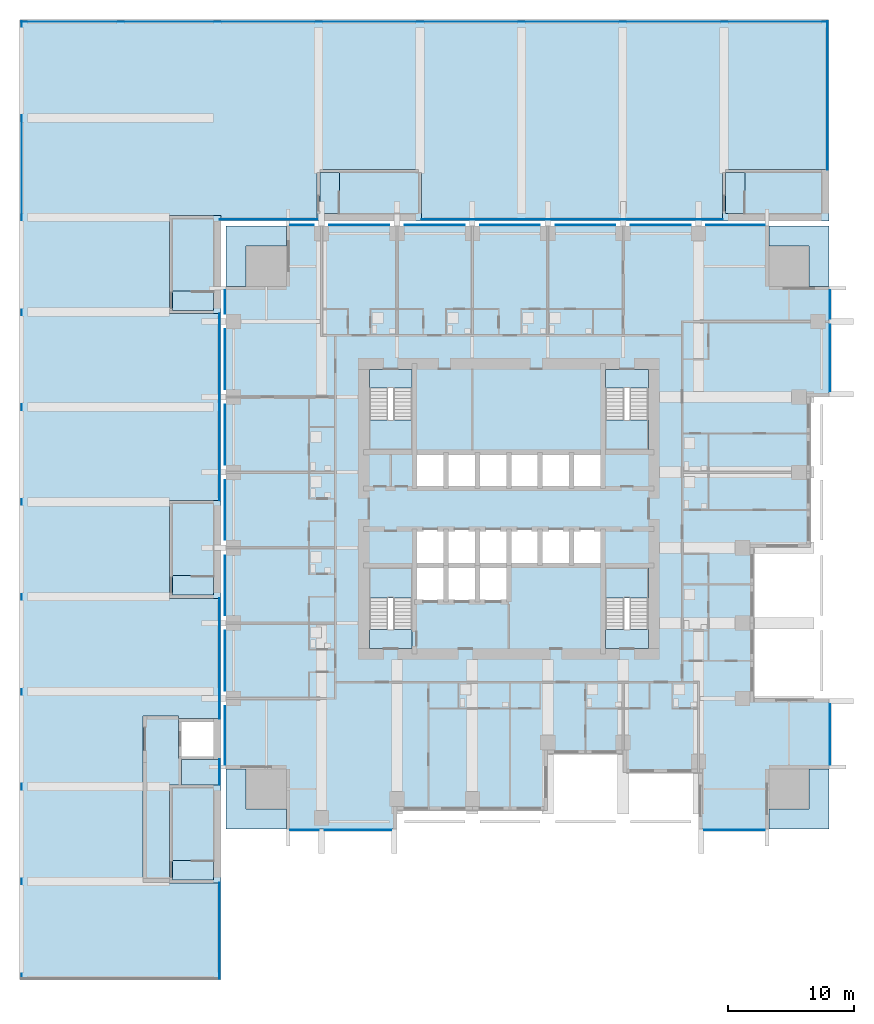
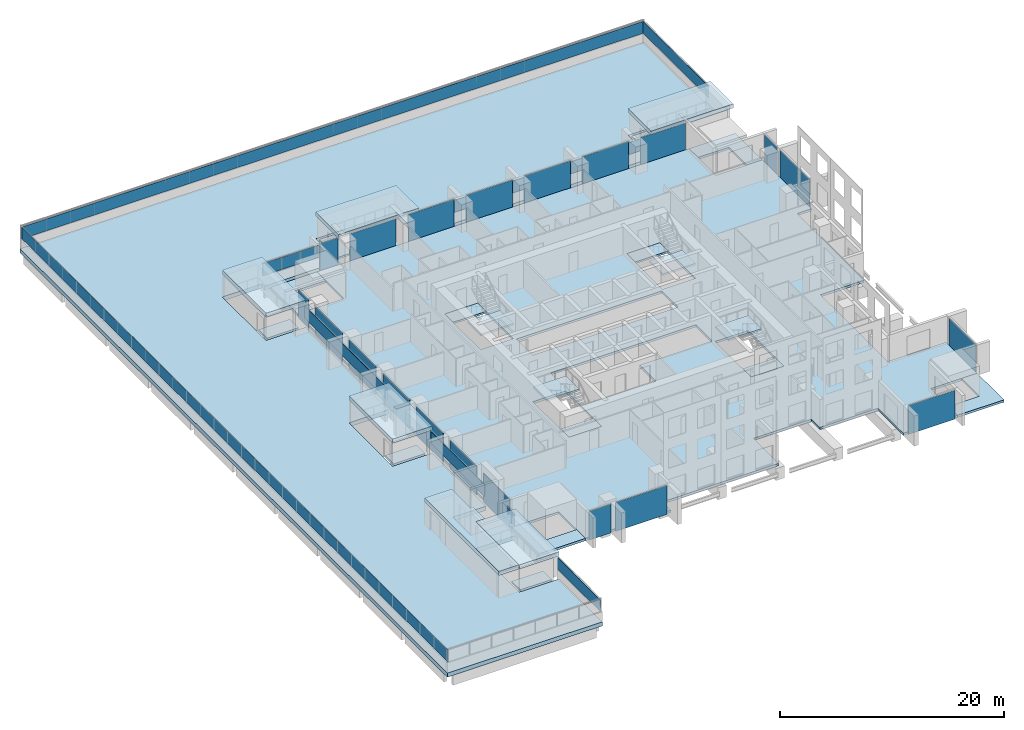
# One storey, part 3 of 15: 29 plates, 25 slabs, 10 elements without a shape of their own.
"""IFC4 building model written with IfcOpenShell, lengths in metres."""

from ifc_helpers import new_model, si_unit, direction, frame, origin, origin_2d, place, context, subcontext, project, spatial, polyline, rectangle, outline, extrude, material, layer, layer_set, type_object, element, aggregate, save


model = new_model("IFC4")

# Units and contexts
model_context = context("Model", 3, precision=1e-05, world=origin(), true_north=direction((0.0, 1.0)))
body_context = subcontext(model_context, "Body", "Model", "MODEL_VIEW")
ifc_project = project(units=[si_unit("LENGTHUNIT", "METRE"), si_unit("AREAUNIT", "SQUARE_METRE"), si_unit("VOLUMEUNIT", "CUBIC_METRE"), si_unit("PLANEANGLEUNIT", "RADIAN"), si_unit("MASSUNIT", "GRAM", prefix="KILO")], contexts=[model_context])

# Site, building, storey
site_placement = place(None, origin())
site = spatial("IfcSite", under=ifc_project, at=site_placement, CompositionType="ELEMENT")
building_placement = place(site_placement, origin())
building = spatial("IfcBuilding", under=site, at=building_placement, Name="Amberfall Residences", CompositionType="ELEMENT")
storey_placement = place(building_placement, frame((0.0, 0.0, 23.5)))
storey = spatial("IfcBuildingStorey", under=building, at=storey_placement, Name="L05", CompositionType="ELEMENT", Elevation=23.5)

# Curtain wall, plates
ifc_material_1 = material(Name="Bronze anodised aluminium and glass", Category="aluminium")
curtain_wall_type = type_object("IfcCurtainWallType", Name="Curtain wall CW1 tower unit", PredefinedType="USERDEFINED", material=ifc_material_1)
curtain_wall_1_placement = place(storey_placement, origin())
curtain_wall_1 = element("IfcCurtainWall", 1, at=curtain_wall_1_placement, inside=storey, type_object=curtain_wall_type, Name="Curtain wall L05 S S1", ObjectType="UNITISED CURTAIN WALL", PredefinedType="USERDEFINED")
ifc_material_2 = material(Name="Tinted double glazed unit", Category="glass")
ifc_layer_1 = layer(ifc_material_2, 0.035888671875)
ifc_layer_set_1 = layer_set([ifc_layer_1], Name="CW1 panel 36 glazing")
plate_type_1 = type_object("IfcPlateType", Name="CW1 panel 36 glazing", PredefinedType="CURTAIN_PANEL", material=ifc_layer_set_1)
plate_1_placement = place(storey_placement, frame((58.237548828125, 19.925048828125, -0.25), z_axis=(0.0, 0.0, 1.0), x_axis=(1.0, 0.0, 0.0)))
plate_1 = element("IfcPlate", 2, at=plate_1_placement, type_object=plate_type_1, Name="CW1 panel 1.1", PredefinedType="CURTAIN_PANEL", context=body_context, shape_type="SweptSolid", body=[
    extrude(rectangle(XDim=2.2509765625, YDim=0.035888671875, at=origin_2d()), origin(), (0.0, 0.0, 1.0), 3.14990234375),
])
plate_2_placement = place(storey_placement, frame((62.487548828125, 19.925048828125, -0.25), z_axis=(0.0, 0.0, 1.0), x_axis=(1.0, 0.0, 0.0)))
plate_2 = element("IfcPlate", 3, at=plate_2_placement, type_object=plate_type_1, Name="CW1 panel 2.1", PredefinedType="CURTAIN_PANEL", context=body_context, shape_type="SweptSolid", body=[
    extrude(rectangle(XDim=5.301025390625, YDim=0.035888671875, at=origin_2d()), origin(), (0.0, 0.0, 1.0), 3.14990234375),
])
aggregate(curtain_wall_1, [plate_1, plate_2])

# Curtain wall, plate
curtain_wall_2_placement = place(storey_placement, origin())
curtain_wall_2 = element("IfcCurtainWall", 4, at=curtain_wall_2_placement, inside=storey, type_object=curtain_wall_type, Name="Curtain wall L05 S S10", ObjectType="UNITISED CURTAIN WALL", PredefinedType="USERDEFINED")
plate_3_placement = place(storey_placement, frame((92.47509765625, 19.925048828125, -0.25), z_axis=(0.0, 0.0, 1.0), x_axis=(1.0, 0.0, 0.0)))
plate_3 = element("IfcPlate", 5, at=plate_3_placement, type_object=plate_type_1, Name="CW1 panel 1.1", PredefinedType="CURTAIN_PANEL", context=body_context, shape_type="SweptSolid", body=[
    extrude(rectangle(XDim=4.825927734375, YDim=0.035888671875, at=origin_2d()), origin(), (0.0, 0.0, 1.0), 3.14990234375),
])
aggregate(curtain_wall_2, [plate_3])

curtain_wall_3_placement = place(storey_placement, origin())
curtain_wall_3 = element("IfcCurtainWall", 6, at=curtain_wall_3_placement, inside=storey, type_object=curtain_wall_type, Name="Curtain wall L05 E E1", ObjectType="UNITISED CURTAIN WALL", PredefinedType="USERDEFINED")
plate_4_placement = place(storey_placement, frame((100.074951171875, 27.52490234375, -0.25), z_axis=(0.0, 0.0, 1.0), x_axis=(0.0, 1.0, 0.0)))
plate_4 = element("IfcPlate", 7, at=plate_4_placement, type_object=plate_type_1, Name="CW1 panel 1.1", PredefinedType="CURTAIN_PANEL", context=body_context, shape_type="SweptSolid", body=[
    extrude(rectangle(XDim=4.825927734375, YDim=0.035888671875, at=origin_2d()), origin(), (0.0, 0.0, 1.0), 3.14990234375),
])
aggregate(curtain_wall_3, [plate_4])

# Curtain wall, plates
curtain_wall_4_placement = place(storey_placement, origin())
curtain_wall_4 = element("IfcCurtainWall", 8, at=curtain_wall_4_placement, inside=storey, type_object=curtain_wall_type, Name="Curtain wall L05 E E9", ObjectType="UNITISED CURTAIN WALL", PredefinedType="USERDEFINED")
plate_5_placement = place(storey_placement, frame((100.074951171875, 57.512451171875, -0.25), z_axis=(0.0, 0.0, 1.0), x_axis=(0.0, 1.0, 0.0)))
plate_5 = element("IfcPlate", 9, at=plate_5_placement, type_object=plate_type_1, Name="CW1 panel 1.1", PredefinedType="CURTAIN_PANEL", context=body_context, shape_type="SweptSolid", body=[
    extrude(rectangle(XDim=5.301025390625, YDim=0.035888671875, at=origin_2d()), origin(), (0.0, 0.0, 1.0), 3.14990234375),
])
plate_6_placement = place(storey_placement, frame((100.074951171875, 61.762451171875, -0.25), z_axis=(0.0, 0.0, 1.0), x_axis=(0.0, 1.0, 0.0)))
plate_6 = element("IfcPlate", 10, at=plate_6_placement, type_object=plate_type_1, Name="CW1 panel 2.1", PredefinedType="CURTAIN_PANEL", context=body_context, shape_type="SweptSolid", body=[
    extrude(rectangle(XDim=2.2509765625, YDim=0.035888671875, at=origin_2d()), origin(), (0.0, 0.0, 1.0), 3.14990234375),
])
aggregate(curtain_wall_4, [plate_5, plate_6])

curtain_wall_5_placement = place(storey_placement, origin())
curtain_wall_5 = element("IfcCurtainWall", 11, at=curtain_wall_5_placement, inside=storey, type_object=curtain_wall_type, Name="Curtain wall L05 N N1", ObjectType="UNITISED CURTAIN WALL", PredefinedType="USERDEFINED")
plate_7_placement = place(storey_placement, frame((92.552490234375, 68.074951171875, -0.25), z_axis=(0.0, 0.0, 1.0), x_axis=(-1.0, 0.0, 0.0)))
plate_7 = element("IfcPlate", 12, at=plate_7_placement, type_object=plate_type_1, Name="CW1 panel 1.1", PredefinedType="CURTAIN_PANEL", context=body_context, shape_type="SweptSolid", body=[
    extrude(rectangle(XDim=4.6708984375, YDim=0.035888671875, at=origin_2d()), origin(), (0.0, 0.0, 1.0), 3.14990234375),
])
plate_8_placement = place(storey_placement, frame((86.60009765625, 68.074951171875, -0.25), z_axis=(0.0, 0.0, 1.0), x_axis=(-1.0, 0.0, 0.0)))
plate_8 = element("IfcPlate", 13, at=plate_8_placement, type_object=plate_type_1, Name="CW1 panel 2.1", PredefinedType="CURTAIN_PANEL", context=body_context, shape_type="SweptSolid", body=[
    extrude(rectangle(XDim=4.76611328125, YDim=0.035888671875, at=origin_2d()), origin(), (0.0, 0.0, 1.0), 3.14990234375),
])
plate_9_placement = place(storey_placement, frame((80.60009765625, 68.074951171875, -0.25), z_axis=(0.0, 0.0, 1.0), x_axis=(-1.0, 0.0, 0.0)))
plate_9 = element("IfcPlate", 14, at=plate_9_placement, type_object=plate_type_1, Name="CW1 panel 3.1", PredefinedType="CURTAIN_PANEL", context=body_context, shape_type="SweptSolid", body=[
    extrude(rectangle(XDim=4.76611328125, YDim=0.035888671875, at=origin_2d()), origin(), (0.0, 0.0, 1.0), 3.14990234375),
])
plate_10_placement = place(storey_placement, frame((74.60009765625, 68.074951171875, -0.25), z_axis=(0.0, 0.0, 1.0), x_axis=(-1.0, 0.0, 0.0)))
plate_10 = element("IfcPlate", 15, at=plate_10_placement, type_object=plate_type_1, Name="CW1 panel 4.1", PredefinedType="CURTAIN_PANEL", context=body_context, shape_type="SweptSolid", body=[
    extrude(rectangle(XDim=4.76611328125, YDim=0.035888671875, at=origin_2d()), origin(), (0.0, 0.0, 1.0), 3.14990234375),
])
plate_11_placement = place(storey_placement, frame((68.60009765625, 68.074951171875, -0.25), z_axis=(0.0, 0.0, 1.0), x_axis=(-1.0, 0.0, 0.0)))
plate_11 = element("IfcPlate", 16, at=plate_11_placement, type_object=plate_type_1, Name="CW1 panel 5.1", PredefinedType="CURTAIN_PANEL", context=body_context, shape_type="SweptSolid", body=[
    extrude(rectangle(XDim=4.76611328125, YDim=0.035888671875, at=origin_2d()), origin(), (0.0, 0.0, 1.0), 3.14990234375),
])
plate_12_placement = place(storey_placement, frame((62.60009765625, 68.074951171875, -0.25), z_axis=(0.0, 0.0, 1.0), x_axis=(-1.0, 0.0, 0.0)))
plate_12 = element("IfcPlate", 17, at=plate_12_placement, type_object=plate_type_1, Name="CW1 panel 6.1", PredefinedType="CURTAIN_PANEL", context=body_context, shape_type="SweptSolid", body=[
    extrude(rectangle(XDim=4.76611328125, YDim=0.035888671875, at=origin_2d()), origin(), (0.0, 0.0, 1.0), 3.14990234375),
])
plate_13_placement = place(storey_placement, frame((58.047607421875, 68.074951171875, -0.25), z_axis=(0.0, 0.0, 1.0), x_axis=(-1.0, 0.0, 0.0)))
plate_13 = element("IfcPlate", 18, at=plate_13_placement, type_object=plate_type_1, Name="CW1 panel 7.1", PredefinedType="CURTAIN_PANEL", context=body_context, shape_type="SweptSolid", body=[
    extrude(rectangle(XDim=1.87109375, YDim=0.035888671875, at=origin_2d()), origin(), (0.0, 0.0, 1.0), 3.14990234375),
])
aggregate(curtain_wall_5, [plate_7, plate_8, plate_9, plate_10, plate_11, plate_12, plate_13])

curtain_wall_6_placement = place(storey_placement, origin())
curtain_wall_6 = element("IfcCurtainWall", 19, at=curtain_wall_6_placement, inside=storey, type_object=curtain_wall_type, Name="Curtain wall L05 W W1", ObjectType="UNITISED CURTAIN WALL", PredefinedType="USERDEFINED")
plate_14_placement = place(storey_placement, frame((51.925048828125, 61.952392578125, -0.25), z_axis=(0.0, 0.0, 1.0), x_axis=(0.0, -1.0, 0.0)))
plate_14 = element("IfcPlate", 20, at=plate_14_placement, type_object=plate_type_1, Name="CW1 panel 1.1", PredefinedType="CURTAIN_PANEL", context=body_context, shape_type="SweptSolid", body=[
    extrude(rectangle(XDim=1.87109375, YDim=0.035888671875, at=origin_2d()), origin(), (0.0, 0.0, 1.0), 3.14990234375),
])
plate_15_placement = place(storey_placement, frame((51.925048828125, 57.39990234375, -0.25), z_axis=(0.0, 0.0, 1.0), x_axis=(0.0, -1.0, 0.0)))
plate_15 = element("IfcPlate", 21, at=plate_15_placement, type_object=plate_type_1, Name="CW1 panel 2.1", PredefinedType="CURTAIN_PANEL", context=body_context, shape_type="SweptSolid", body=[
    extrude(rectangle(XDim=4.76611328125, YDim=0.035888671875, at=origin_2d()), origin(), (0.0, 0.0, 1.0), 3.14990234375),
])
plate_16_placement = place(storey_placement, frame((51.925048828125, 51.39990234375, -0.25), z_axis=(0.0, 0.0, 1.0), x_axis=(0.0, -1.0, 0.0)))
plate_16 = element("IfcPlate", 22, at=plate_16_placement, type_object=plate_type_1, Name="CW1 panel 3.1", PredefinedType="CURTAIN_PANEL", context=body_context, shape_type="SweptSolid", body=[
    extrude(rectangle(XDim=4.76611328125, YDim=0.035888671875, at=origin_2d()), origin(), (0.0, 0.0, 1.0), 3.14990234375),
])
plate_17_placement = place(storey_placement, frame((51.925048828125, 45.39990234375, -0.25), z_axis=(0.0, 0.0, 1.0), x_axis=(0.0, -1.0, 0.0)))
plate_17 = element("IfcPlate", 23, at=plate_17_placement, type_object=plate_type_1, Name="CW1 panel 4.1", PredefinedType="CURTAIN_PANEL", context=body_context, shape_type="SweptSolid", body=[
    extrude(rectangle(XDim=4.76611328125, YDim=0.035888671875, at=origin_2d()), origin(), (0.0, 0.0, 1.0), 3.14990234375),
])
plate_18_placement = place(storey_placement, frame((51.925048828125, 39.39990234375, -0.25), z_axis=(0.0, 0.0, 1.0), x_axis=(0.0, -1.0, 0.0)))
plate_18 = element("IfcPlate", 24, at=plate_18_placement, type_object=plate_type_1, Name="CW1 panel 5.1", PredefinedType="CURTAIN_PANEL", context=body_context, shape_type="SweptSolid", body=[
    extrude(rectangle(XDim=4.76611328125, YDim=0.035888671875, at=origin_2d()), origin(), (0.0, 0.0, 1.0), 3.14990234375),
])
plate_19_placement = place(storey_placement, frame((51.925048828125, 33.39990234375, -0.25), z_axis=(0.0, 0.0, 1.0), x_axis=(0.0, -1.0, 0.0)))
plate_19 = element("IfcPlate", 25, at=plate_19_placement, type_object=plate_type_1, Name="CW1 panel 6.1", PredefinedType="CURTAIN_PANEL", context=body_context, shape_type="SweptSolid", body=[
    extrude(rectangle(XDim=4.76611328125, YDim=0.035888671875, at=origin_2d()), origin(), (0.0, 0.0, 1.0), 3.14990234375),
])
plate_20_placement = place(storey_placement, frame((51.925048828125, 27.447509765625, -0.25), z_axis=(0.0, 0.0, 1.0), x_axis=(0.0, -1.0, 0.0)))
plate_20 = element("IfcPlate", 26, at=plate_20_placement, type_object=plate_type_1, Name="CW1 panel 7.1", PredefinedType="CURTAIN_PANEL", context=body_context, shape_type="SweptSolid", body=[
    extrude(rectangle(XDim=4.6708984375, YDim=0.035888671875, at=origin_2d()), origin(), (0.0, 0.0, 1.0), 3.14990234375),
])
aggregate(curtain_wall_6, [plate_14, plate_15, plate_16, plate_17, plate_18, plate_19, plate_20])

# Slabs
ifc_material_3 = material(Name="Concrete C80", Category="concrete")
ifc_layer_2 = layer(ifc_material_3, 0.25)
ifc_layer_set_2 = layer_set([ifc_layer_2], Name="Floor slab 250 C80")
slab_type_1 = type_object("IfcSlabType", Name="Floor slab 250 C80", PredefinedType="FLOOR", material=ifc_layer_set_2)
slab_1_placement = place(storey_placement, frame((0.0, 0.0, -0.25)))
element("IfcSlab", 27, at=slab_1_placement, inside=storey, type_object=slab_type_1, Name="Floor slab S3 L05", PredefinedType="FLOOR", context=body_context, shape_type="SweptSolid", body=[
    extrude(outline(polyline([(89.60009765625, 20.0), (89.60009765625, 24.5), (83.60009765625, 24.5), (83.60009765625, 26.0), (77.60009765625, 26.0), (77.60009765625, 21.5), (71.60009765625, 21.5), (65.60009765625, 21.5), (65.60009765625, 20.0), (56.800048828125, 20.0), (56.800048828125, 24.800048828125), (52.0, 24.800048828125), (52.0, 63.199951171875), (56.800048828125, 63.199951171875), (56.800048828125, 68.0), (95.199951171875, 68.0), (95.199951171875, 63.199951171875), (100.0, 63.199951171875), (100.0, 54.39990234375), (98.5, 54.39990234375), (98.5, 48.39990234375), (98.5, 42.39990234375), (94.0, 42.39990234375), (94.0, 36.39990234375), (94.0, 30.39990234375), (100.0, 30.39990234375), (100.0, 24.800048828125), (95.199951171875, 24.800048828125), (95.199951171875, 20.0), (89.60009765625, 20.0)]), holes=[polyline([(85.60009765625, 34.39990234375), (85.60009765625, 40.800048828125), (82.199951171875, 40.800048828125), (82.199951171875, 34.39990234375), (85.60009765625, 34.39990234375)]), polyline([(82.199951171875, 50.199951171875), (85.60009765625, 50.199951171875), (85.60009765625, 56.60009765625), (82.199951171875, 56.60009765625), (82.199951171875, 50.199951171875)]), polyline([(69.5, 50.0), (67.0, 50.0), (67.0, 47.10009765625), (69.5, 47.10009765625), (72.0, 47.10009765625), (74.5, 47.10009765625), (77.0, 47.10009765625), (79.5, 47.10009765625), (82.0, 47.10009765625), (82.0, 50.0), (79.5, 50.0), (77.0, 50.0), (74.5, 50.0), (72.0, 50.0), (69.5, 50.0)]), polyline([(74.5, 41.0), (77.0, 41.0), (79.5, 41.0), (82.0, 41.0), (82.0, 43.89990234375), (79.5, 43.89990234375), (77.0, 43.89990234375), (74.5, 43.89990234375), (72.0, 43.89990234375), (69.5, 43.89990234375), (67.0, 43.89990234375), (67.0, 41.0), (67.0, 38.10009765625), (69.5, 38.10009765625), (72.0, 38.10009765625), (74.5, 38.10009765625), (74.5, 41.0)]), polyline([(66.800048828125, 34.39990234375), (66.800048828125, 40.800048828125), (63.39990234375, 40.800048828125), (63.39990234375, 34.39990234375), (66.800048828125, 34.39990234375)]), polyline([(66.800048828125, 50.199951171875), (66.800048828125, 56.60009765625), (63.39990234375, 56.60009765625), (63.39990234375, 50.199951171875), (66.800048828125, 50.199951171875)])]), origin(), (0.0, 0.0, 1.0), 0.25),
])
ifc_material_4 = material(Name="Concrete C60", Category="concrete")
ifc_layer_3 = layer(ifc_material_4, 0.25)
ifc_layer_set_3 = layer_set([ifc_layer_3], Name="Roof slab 250 C60")
slab_type_2 = type_object("IfcSlabType", Name="Roof slab 250 C60", PredefinedType="ROOF", material=ifc_layer_set_3)
slab_2_placement = place(storey_placement, frame((0.0, 0.0, -0.25)))
element("IfcSlab", 28, at=slab_2_placement, inside=storey, type_object=slab_type_2, Name="Roof slab S4 L05 1", PredefinedType="ROOF", context=body_context, shape_type="SweptSolid", body=[
    extrude(outline(polyline([(52.0, 24.800048828125), (53.60009765625, 24.800048828125), (53.60009765625, 21.60009765625), (56.800048828125, 21.60009765625), (56.800048828125, 20.0), (52.0, 20.0), (52.0, 24.800048828125)])), origin(), (0.0, 0.0, 1.0), 0.25),
])
slab_3_placement = place(storey_placement, frame((0.0, 0.0, -0.25)))
element("IfcSlab", 29, at=slab_3_placement, inside=storey, type_object=slab_type_2, Name="Roof slab S4 L05 2", PredefinedType="ROOF", context=body_context, shape_type="SweptSolid", body=[
    extrude(outline(polyline([(95.199951171875, 20.0), (95.199951171875, 21.60009765625), (98.39990234375, 21.60009765625), (98.39990234375, 24.800048828125), (100.0, 24.800048828125), (100.0, 20.0), (95.199951171875, 20.0)])), origin(), (0.0, 0.0, 1.0), 0.25),
])
slab_4_placement = place(storey_placement, frame((0.0, 0.0, -0.25)))
element("IfcSlab", 30, at=slab_4_placement, inside=storey, type_object=slab_type_2, Name="Roof slab S4 L05 3", PredefinedType="ROOF", context=body_context, shape_type="SweptSolid", body=[
    extrude(outline(polyline([(56.800048828125, 68.0), (56.800048828125, 66.39990234375), (53.60009765625, 66.39990234375), (53.60009765625, 63.199951171875), (52.0, 63.199951171875), (52.0, 68.0), (56.800048828125, 68.0)])), origin(), (0.0, 0.0, 1.0), 0.25),
])
slab_5_placement = place(storey_placement, frame((0.0, 0.0, -0.25)))
element("IfcSlab", 31, at=slab_5_placement, inside=storey, type_object=slab_type_2, Name="Roof slab S4 L05 4", PredefinedType="ROOF", context=body_context, shape_type="SweptSolid", body=[
    extrude(outline(polyline([(100.0, 63.199951171875), (98.39990234375, 63.199951171875), (98.39990234375, 66.39990234375), (95.199951171875, 66.39990234375), (95.199951171875, 68.0), (100.0, 68.0), (100.0, 63.199951171875)])), origin(), (0.0, 0.0, 1.0), 0.25),
])

# Plates
ifc_material_5 = material(Name="Galvanised steel mesh", Category="steel")
ifc_layer_4 = layer(ifc_material_5, 0.030029296875)
ifc_layer_set_4 = layer_set([ifc_layer_4], Name="School fence mesh panel 30")
plate_type_2 = type_object("IfcPlateType", Name="School fence mesh panel 30", PredefinedType="SHEET", material=ifc_layer_set_4)
plate_21_placement = place(storey_placement, frame((51.465087890625, 11.91259765625, 1.10009765625), z_axis=(0.0, 0.0, 1.0), x_axis=(0.0, 1.0, 0.0)))
element("IfcPlate", 32, at=plate_21_placement, inside=storey, type_object=plate_type_2, Name="School fence mesh panel", PredefinedType="SHEET", context=body_context, shape_type="SweptSolid", body=[
    extrude(rectangle(XDim=7.625, YDim=0.030029296875, at=origin_2d()), origin(), (0.0, 0.0, 1.0), 1.300048828125),
])
plate_22_placement = place(storey_placement, frame((51.465087890625, 24.53759765625, 1.10009765625), z_axis=(0.0, 0.0, 1.0), x_axis=(0.0, 1.0, 0.0)))
element("IfcPlate", 33, at=plate_22_placement, inside=storey, type_object=plate_type_2, Name="School fence mesh panel", PredefinedType="SHEET", context=body_context, shape_type="SweptSolid", body=[
    extrude(rectangle(XDim=2.02490234375, YDim=0.030029296875, at=origin_2d()), origin(), (0.0, 0.0, 1.0), 1.300048828125),
])
plate_23_placement = place(storey_placement, frame((51.465087890625, 33.58740234375, 1.10009765625), z_axis=(0.0, 0.0, 1.0), x_axis=(0.0, 1.0, 0.0)))
element("IfcPlate", 34, at=plate_23_placement, inside=storey, type_object=plate_type_2, Name="School fence mesh panel", PredefinedType="SHEET", context=body_context, shape_type="SweptSolid", body=[
    extrude(rectangle(XDim=9.574951171875, YDim=0.030029296875, at=origin_2d()), origin(), (0.0, 0.0, 1.0), 1.300048828125),
])
plate_24_placement = place(storey_placement, frame((51.465087890625, 53.60009765625, 1.10009765625), z_axis=(0.0, 0.0, 1.0), x_axis=(0.0, 1.0, 0.0)))
element("IfcPlate", 35, at=plate_24_placement, inside=storey, type_object=plate_type_2, Name="School fence mesh panel", PredefinedType="SHEET", context=body_context, shape_type="SweptSolid", body=[
    extrude(rectangle(XDim=14.85009765625, YDim=0.030029296875, at=origin_2d()), origin(), (0.0, 0.0, 1.0), 1.300048828125),
])
plate_25_placement = place(storey_placement, frame((55.37109375, 68.534912109375, 1.10009765625), z_axis=(0.0, 0.0, 1.0), x_axis=(1.0, 0.0, 0.0)))
element("IfcPlate", 36, at=plate_25_placement, inside=storey, type_object=plate_type_2, Name="School fence mesh panel", PredefinedType="SHEET", context=body_context, shape_type="SweptSolid", body=[
    extrude(rectangle(XDim=7.741943359375, YDim=0.030029296875, at=origin_2d()), origin(), (0.0, 0.0, 1.0), 1.300048828125),
])
plate_26_placement = place(storey_placement, frame((79.532958984375, 68.534912109375, 1.10009765625), z_axis=(0.0, 0.0, 1.0), x_axis=(1.0, 0.0, 0.0)))
element("IfcPlate", 37, at=plate_26_placement, inside=storey, type_object=plate_type_2, Name="School fence mesh panel", PredefinedType="SHEET", context=body_context, shape_type="SweptSolid", body=[
    extrude(rectangle(XDim=23.949951171875, YDim=0.030029296875, at=origin_2d()), origin(), (0.0, 0.0, 1.0), 1.300048828125),
])
plate_27_placement = place(storey_placement, frame((99.864990234375, 78.39990234375, 1.10009765625), z_axis=(0.0, 0.0, 1.0), x_axis=(0.0, 1.0, 0.0)))
element("IfcPlate", 38, at=plate_27_placement, inside=storey, type_object=plate_type_2, Name="School fence mesh panel", PredefinedType="SHEET", context=body_context, shape_type="SweptSolid", body=[
    extrude(rectangle(XDim=11.800048828125, YDim=0.030029296875, at=origin_2d()), origin(), (0.0, 0.0, 1.0), 1.300048828125),
])
plate_28_placement = place(storey_placement, frame((67.800048828125, 84.264892578125, 1.10009765625), z_axis=(0.0, 0.0, 1.0), x_axis=(-1.0, 0.0, 0.0)))
element("IfcPlate", 39, at=plate_28_placement, inside=storey, type_object=plate_type_2, Name="School fence mesh panel", PredefinedType="SHEET", context=body_context, shape_type="SweptSolid", body=[
    extrude(rectangle(XDim=64.199951171875, YDim=0.030029296875, at=origin_2d()), origin(), (0.0, 0.0, 1.0), 1.300048828125),
])
plate_29_placement = place(storey_placement, frame((35.735107421875, 46.199951171875, 1.10009765625), z_axis=(0.0, 0.0, 1.0), x_axis=(0.0, -1.0, 0.0)))
element("IfcPlate", 40, at=plate_29_placement, inside=storey, type_object=plate_type_2, Name="School fence mesh panel", PredefinedType="SHEET", context=body_context, shape_type="SweptSolid", body=[
    extrude(rectangle(XDim=76.199951171875, YDim=0.030029296875, at=origin_2d()), origin(), (0.0, 0.0, 1.0), 1.300048828125),
])

# Slabs
ifc_material_6 = material(Name="Concrete C40", Category="concrete")
ifc_layer_5 = layer(ifc_material_6, 0.449951171875)
ifc_layer_set_5 = layer_set([ifc_layer_5], Name="School heavy roof slab 450 C40")
slab_type_3 = type_object("IfcSlabType", Name="School heavy roof slab 450 C40", PredefinedType="ROOF", material=ifc_layer_set_5)
slab_6_placement = place(storey_placement, frame((0.0, 0.0, -0.449951171875)))
element("IfcSlab", 41, at=slab_6_placement, inside=storey, type_object=slab_type_3, Name="School roof", PredefinedType="ROOF", context=body_context, shape_type="SweptSolid", body=[
    extrude(outline(polyline([(35.60009765625, 84.39990234375), (35.60009765625, 8.0), (51.60009765625, 8.0), (51.60009765625, 15.72509765625), (51.0, 15.72509765625), (47.5, 15.72509765625), (47.5, 15.97509765625), (47.5, 23.27490234375), (47.5, 23.52490234375), (51.0, 23.52490234375), (51.60009765625, 23.52490234375), (51.60009765625, 25.550048828125), (51.0, 25.550048828125), (48.199951171875, 25.550048828125), (48.199951171875, 25.675048828125), (48.199951171875, 25.800048828125), (48.199951171875, 28.550048828125), (48.199951171875, 28.675048828125), (48.199951171875, 28.800048828125), (51.0, 28.800048828125), (51.60009765625, 28.800048828125), (51.60009765625, 38.375), (51.0, 38.375), (47.5, 38.375), (47.5, 38.625), (47.5, 45.925048828125), (47.5, 46.175048828125), (51.0, 46.175048828125), (51.60009765625, 46.175048828125), (51.60009765625, 61.02490234375), (51.0, 61.02490234375), (47.5, 61.02490234375), (47.5, 61.27490234375), (47.5, 68.574951171875), (47.5, 68.824951171875), (51.0, 68.824951171875), (51.60009765625, 68.824951171875), (51.60009765625, 68.39990234375), (59.241943359375, 68.39990234375), (59.241943359375, 69.0), (59.241943359375, 72.25), (59.241943359375, 72.5), (59.491943359375, 72.5), (67.30810546875, 72.5), (67.55810546875, 72.5), (67.55810546875, 72.25), (67.55810546875, 69.0), (67.55810546875, 68.39990234375), (91.508056640625, 68.39990234375), (91.508056640625, 69.0), (91.508056640625, 72.25), (91.508056640625, 72.5), (91.758056640625, 72.5), (99.39990234375, 72.5), (100.0, 72.5), (100.0, 84.39990234375), (51.60009765625, 84.39990234375), (35.60009765625, 84.39990234375)])), origin(), (0.0, 0.0, 1.0), 0.449951171875),
])
slab_7_placement = place(storey_placement, frame((0.0, 0.0, 2.5)))
element("IfcSlab", 42, at=slab_7_placement, inside=storey, type_object=slab_type_3, Name="School roof lobby roof", PredefinedType="ROOF", context=body_context, shape_type="SweptSolid", body=[
    extrude(outline(polyline([(45.39990234375, 23.52490234375), (45.39990234375, 15.77490234375), (47.5, 15.77490234375), (47.5, 23.52490234375), (48.449951171875, 23.52490234375), (48.449951171875, 25.625), (48.199951171875, 25.625), (48.199951171875, 29.02490234375), (45.39990234375, 29.02490234375), (45.39990234375, 25.625), (45.39990234375, 25.324951171875), (45.39990234375, 23.72509765625), (45.39990234375, 23.52490234375)])), origin(), (0.0, 0.0, 1.0), 0.449951171875),
])
slab_8_placement = place(storey_placement, frame((0.0, 0.0, 2.5)))
element("IfcSlab", 43, at=slab_8_placement, inside=storey, type_object=slab_type_3, Name="School stair head house roof", PredefinedType="ROOF", context=body_context, shape_type="SweptSolid", body=[
    extrude(outline(polyline([(47.5, 15.72509765625), (51.60009765625, 15.72509765625), (51.60009765625, 23.52490234375), (47.5, 23.52490234375), (47.5, 15.72509765625)])), origin(), (0.0, 0.0, 1.0), 0.449951171875),
])
slab_9_placement = place(storey_placement, frame((0.0, 0.0, 2.5)))
element("IfcSlab", 44, at=slab_9_placement, inside=storey, type_object=slab_type_3, Name="School stair SS2 head house roof", PredefinedType="ROOF", context=body_context, shape_type="SweptSolid", body=[
    extrude(outline(polyline([(47.5, 38.375), (51.60009765625, 38.375), (51.60009765625, 46.175048828125), (47.5, 46.175048828125), (47.5, 38.375)])), origin(), (0.0, 0.0, 1.0), 0.449951171875),
])
slab_10_placement = place(storey_placement, frame((0.0, 0.0, 2.5)))
element("IfcSlab", 45, at=slab_10_placement, inside=storey, type_object=slab_type_3, Name="School stair SS3 head house roof", PredefinedType="ROOF", context=body_context, shape_type="SweptSolid", body=[
    extrude(outline(polyline([(47.5, 61.02490234375), (51.60009765625, 61.02490234375), (51.60009765625, 68.824951171875), (47.5, 68.824951171875), (47.5, 61.02490234375)])), origin(), (0.0, 0.0, 1.0), 0.449951171875),
])
slab_11_placement = place(storey_placement, frame((0.0, 0.0, 2.5)))
element("IfcSlab", 46, at=slab_11_placement, inside=storey, type_object=slab_type_3, Name="School stair SS4 head house roof", PredefinedType="ROOF", context=body_context, shape_type="SweptSolid", body=[
    extrude(outline(polyline([(59.241943359375, 68.39990234375), (67.55810546875, 68.39990234375), (67.55810546875, 72.5), (59.241943359375, 72.5), (59.241943359375, 68.39990234375)])), origin(), (0.0, 0.0, 1.0), 0.449951171875),
])
slab_12_placement = place(storey_placement, frame((0.0, 0.0, 2.5)))
element("IfcSlab", 47, at=slab_12_placement, inside=storey, type_object=slab_type_3, Name="School stair SS5 head house roof", PredefinedType="ROOF", context=body_context, shape_type="SweptSolid", body=[
    extrude(outline(polyline([(91.508056640625, 68.39990234375), (100.0, 68.39990234375), (100.0, 72.5), (91.508056640625, 72.5), (91.508056640625, 68.39990234375)])), origin(), (0.0, 0.0, 1.0), 0.449951171875),
])
ifc_layer_6 = layer(ifc_material_6, 0.199951171875)
ifc_layer_set_6 = layer_set([ifc_layer_6], Name="School stair landing")
slab_type_4 = type_object("IfcSlabType", Name="School stair landing", PredefinedType="LANDING", material=ifc_layer_set_6)
slab_13_placement = place(storey_placement, frame((0.0, 0.0, -0.199951171875)))
element("IfcSlab", 48, at=slab_13_placement, inside=storey, type_object=slab_type_4, Name="School stair SS1 roof landing", PredefinedType="LANDING", context=body_context, shape_type="SweptSolid", body=[
    extrude(outline(polyline([(51.0, 15.97509765625), (51.0, 17.52490234375), (47.75, 17.52490234375), (47.75, 15.97509765625), (51.0, 15.97509765625)])), origin(), (0.0, 0.0, 1.0), 0.199951171875),
])
slab_14_placement = place(storey_placement, frame((0.0, 0.0, -0.199951171875)))
element("IfcSlab", 49, at=slab_14_placement, inside=storey, type_object=slab_type_4, Name="School stair SS2 roof landing", PredefinedType="LANDING", context=body_context, shape_type="SweptSolid", body=[
    extrude(outline(polyline([(51.0, 38.625), (51.0, 40.175048828125), (47.75, 40.175048828125), (47.75, 38.625), (51.0, 38.625)])), origin(), (0.0, 0.0, 1.0), 0.199951171875),
])
slab_15_placement = place(storey_placement, frame((0.0, 0.0, -0.199951171875)))
element("IfcSlab", 50, at=slab_15_placement, inside=storey, type_object=slab_type_4, Name="School stair SS3 roof landing", PredefinedType="LANDING", context=body_context, shape_type="SweptSolid", body=[
    extrude(outline(polyline([(51.0, 61.27490234375), (51.0, 62.824951171875), (47.75, 62.824951171875), (47.75, 61.27490234375), (51.0, 61.27490234375)])), origin(), (0.0, 0.0, 1.0), 0.199951171875),
])
slab_16_placement = place(storey_placement, frame((0.0, 0.0, -0.199951171875)))
element("IfcSlab", 51, at=slab_16_placement, inside=storey, type_object=slab_type_4, Name="School stair SS4 roof landing", PredefinedType="LANDING", context=body_context, shape_type="SweptSolid", body=[
    extrude(outline(polyline([(59.491943359375, 69.0), (61.0419921875, 69.0), (61.0419921875, 72.25), (59.491943359375, 72.25), (59.491943359375, 69.0)])), origin(), (0.0, 0.0, 1.0), 0.199951171875),
])
slab_17_placement = place(storey_placement, frame((0.0, 0.0, -0.199951171875)))
element("IfcSlab", 52, at=slab_17_placement, inside=storey, type_object=slab_type_4, Name="School stair SS5 roof landing", PredefinedType="LANDING", context=body_context, shape_type="SweptSolid", body=[
    extrude(outline(polyline([(91.758056640625, 69.0), (93.30810546875, 69.0), (93.30810546875, 72.25), (91.758056640625, 72.25), (91.758056640625, 69.0)])), origin(), (0.0, 0.0, 1.0), 0.199951171875),
])

# Stair, slabs
stair_type = type_object("IfcStairType", Name="Exit stair 20 risers 165.0 mm", PredefinedType="HALF_TURN_STAIR", material=ifc_material_6)
stair_1_placement = place(storey_placement, origin())
stair_1 = element("IfcStair", 53, at=stair_1_placement, inside=storey, type_object=stair_type, Name="L05 Exit stair 1", PredefinedType="HALF_TURN_STAIR")
ifc_layer_7 = layer(ifc_material_6, 0.199951171875)
ifc_layer_set_7 = layer_set([ifc_layer_7], Name="Stair landing 200")
slab_type_5 = type_object("IfcSlabType", Name="Stair landing 200", PredefinedType="LANDING", material=ifc_layer_set_7)
slab_18_placement = place(storey_placement, frame((0.0, 0.0, 1.449951171875)))
slab_18 = element("IfcSlab", 54, at=slab_18_placement, type_object=slab_type_5, Name="ST3 landing 1", PredefinedType="LANDING", context=body_context, shape_type="SweptSolid", body=[
    extrude(outline(polyline([(66.800048828125, 38.419921875), (66.800048828125, 40.800048828125), (63.39990234375, 40.800048828125), (63.39990234375, 38.419921875), (66.800048828125, 38.419921875)])), origin(), (0.0, 0.0, 1.0), 0.199951171875),
])
slab_19_placement = place(storey_placement, frame((0.0, 0.0, -0.199951171875)))
slab_19 = element("IfcSlab", 55, at=slab_19_placement, type_object=slab_type_5, Name="ST3 landing 2", PredefinedType="LANDING", context=body_context, shape_type="SweptSolid", body=[
    extrude(outline(polyline([(66.800048828125, 34.39990234375), (66.800048828125, 35.89990234375), (63.39990234375, 35.89990234375), (63.39990234375, 34.39990234375), (66.800048828125, 34.39990234375)])), origin(), (0.0, 0.0, 1.0), 0.199951171875),
])
aggregate(stair_1, [slab_18, slab_19])

stair_2_placement = place(storey_placement, origin())
stair_2 = element("IfcStair", 56, at=stair_2_placement, inside=storey, type_object=stair_type, Name="L05 Exit stair 2", PredefinedType="HALF_TURN_STAIR")
slab_20_placement = place(storey_placement, frame((0.0, 0.0, 1.449951171875)))
slab_20 = element("IfcSlab", 57, at=slab_20_placement, type_object=slab_type_5, Name="ST3 landing 1", PredefinedType="LANDING", context=body_context, shape_type="SweptSolid", body=[
    extrude(outline(polyline([(85.60009765625, 38.419921875), (85.60009765625, 40.800048828125), (82.199951171875, 40.800048828125), (82.199951171875, 38.419921875), (85.60009765625, 38.419921875)])), origin(), (0.0, 0.0, 1.0), 0.199951171875),
])
slab_21_placement = place(storey_placement, frame((0.0, 0.0, -0.199951171875)))
slab_21 = element("IfcSlab", 58, at=slab_21_placement, type_object=slab_type_5, Name="ST3 landing 2", PredefinedType="LANDING", context=body_context, shape_type="SweptSolid", body=[
    extrude(outline(polyline([(85.60009765625, 34.39990234375), (85.60009765625, 35.89990234375), (82.199951171875, 35.89990234375), (82.199951171875, 34.39990234375), (85.60009765625, 34.39990234375)])), origin(), (0.0, 0.0, 1.0), 0.199951171875),
])
aggregate(stair_2, [slab_20, slab_21])

stair_3_placement = place(storey_placement, origin())
stair_3 = element("IfcStair", 59, at=stair_3_placement, inside=storey, type_object=stair_type, Name="L05 Exit stair 3", PredefinedType="HALF_TURN_STAIR")
slab_22_placement = place(storey_placement, frame((0.0, 0.0, 1.449951171875)))
slab_22 = element("IfcSlab", 60, at=slab_22_placement, type_object=slab_type_5, Name="ST3 landing 1", PredefinedType="LANDING", context=body_context, shape_type="SweptSolid", body=[
    extrude(outline(polyline([(82.199951171875, 52.580078125), (82.199951171875, 50.199951171875), (85.60009765625, 50.199951171875), (85.60009765625, 52.580078125), (82.199951171875, 52.580078125)])), origin(), (0.0, 0.0, 1.0), 0.199951171875),
])
slab_23_placement = place(storey_placement, frame((0.0, 0.0, -0.199951171875)))
slab_23 = element("IfcSlab", 61, at=slab_23_placement, type_object=slab_type_5, Name="ST3 landing 2", PredefinedType="LANDING", context=body_context, shape_type="SweptSolid", body=[
    extrude(outline(polyline([(82.199951171875, 56.60009765625), (82.199951171875, 55.10009765625), (85.60009765625, 55.10009765625), (85.60009765625, 56.60009765625), (82.199951171875, 56.60009765625)])), origin(), (0.0, 0.0, 1.0), 0.199951171875),
])
aggregate(stair_3, [slab_22, slab_23])

stair_4_placement = place(storey_placement, origin())
stair_4 = element("IfcStair", 62, at=stair_4_placement, inside=storey, type_object=stair_type, Name="L05 Exit stair 4", PredefinedType="HALF_TURN_STAIR")
slab_24_placement = place(storey_placement, frame((0.0, 0.0, 1.449951171875)))
slab_24 = element("IfcSlab", 63, at=slab_24_placement, type_object=slab_type_5, Name="ST3 landing 1", PredefinedType="LANDING", context=body_context, shape_type="SweptSolid", body=[
    extrude(outline(polyline([(63.39990234375, 52.580078125), (63.39990234375, 50.199951171875), (66.800048828125, 50.199951171875), (66.800048828125, 52.580078125), (63.39990234375, 52.580078125)])), origin(), (0.0, 0.0, 1.0), 0.199951171875),
])
slab_25_placement = place(storey_placement, frame((0.0, 0.0, -0.199951171875)))
slab_25 = element("IfcSlab", 64, at=slab_25_placement, type_object=slab_type_5, Name="ST3 landing 2", PredefinedType="LANDING", context=body_context, shape_type="SweptSolid", body=[
    extrude(outline(polyline([(63.39990234375, 56.60009765625), (63.39990234375, 55.10009765625), (66.800048828125, 55.10009765625), (66.800048828125, 56.60009765625), (63.39990234375, 56.60009765625)])), origin(), (0.0, 0.0, 1.0), 0.199951171875),
])
aggregate(stair_4, [slab_24, slab_25])

save(model, "model.ifc")
